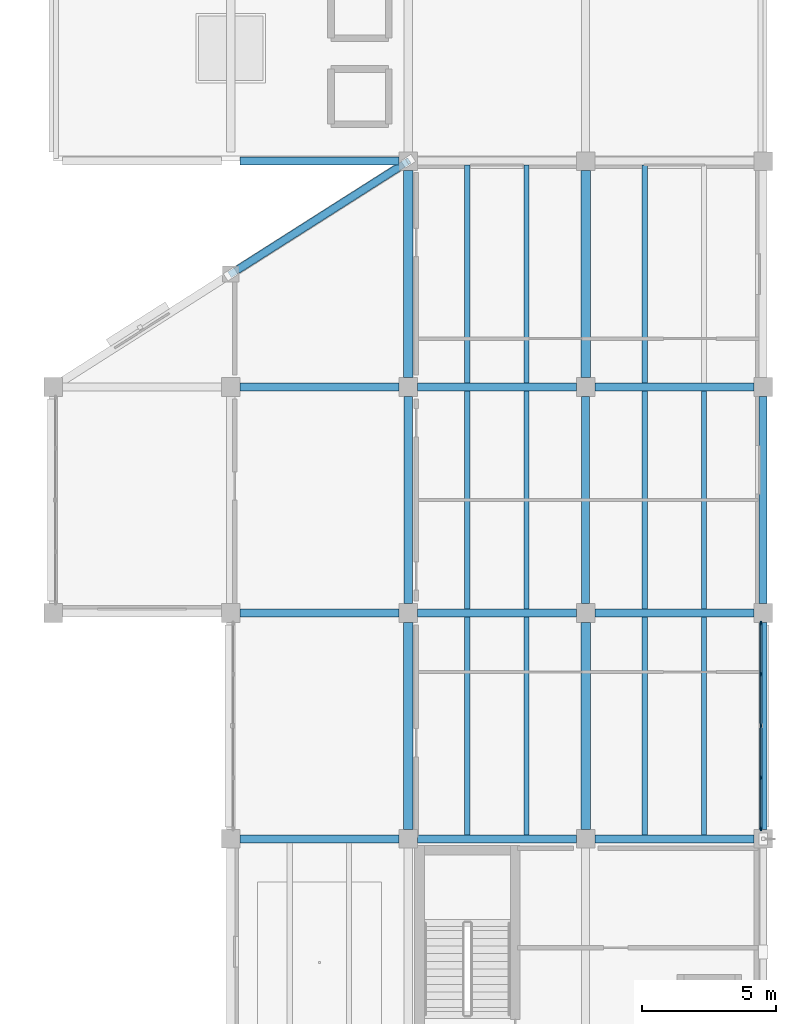
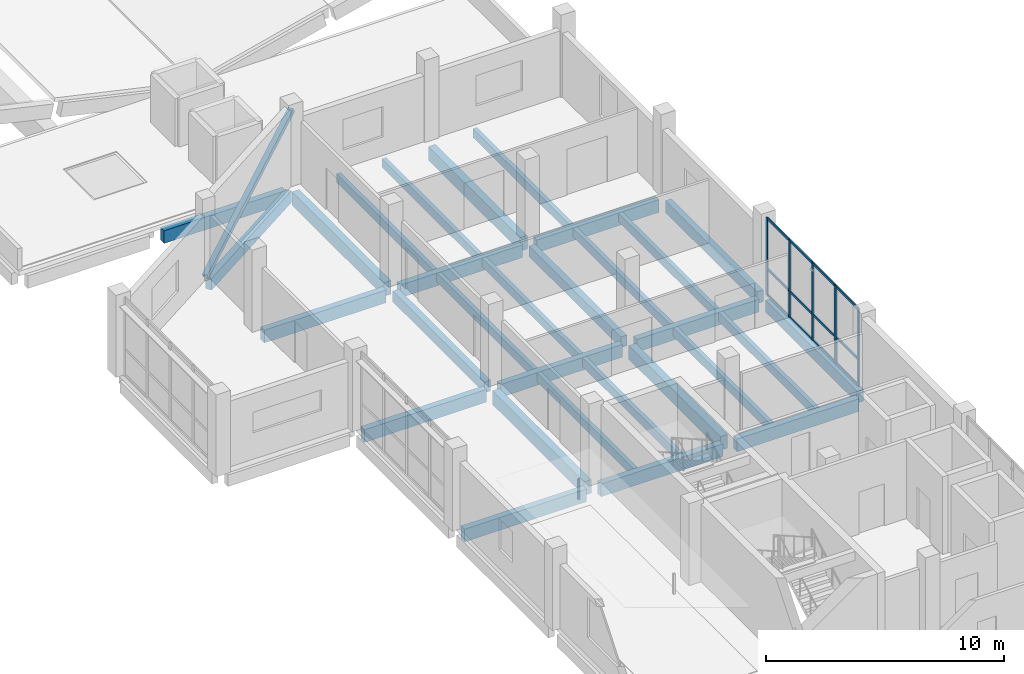
# One storey, part 19 of 47: 30 beams, 18 members, 1 element without a shape of its own.
"""IFC4 building model written with IfcOpenShell, lengths in metres."""

from ifc_helpers import new_model, si_unit, direction, frame, origin, origin_2d, place, context, subcontext, project, spatial, rectangle, hollow_rectangle, extrude, material, material_profile, profile_set, type_object, element, aggregate, save


model = new_model("IFC4")

# Units and contexts
model_context = context("Model", 3, precision=1e-05, world=origin(), true_north=direction((0.0, 1.0)))
body_context = subcontext(model_context, "Body", "Model", "MODEL_VIEW")
ifc_project = project(units=[si_unit("LENGTHUNIT", "METRE"), si_unit("AREAUNIT", "SQUARE_METRE"), si_unit("VOLUMEUNIT", "CUBIC_METRE"), si_unit("PLANEANGLEUNIT", "RADIAN"), si_unit("MASSUNIT", "GRAM", prefix="KILO")], contexts=[model_context])

# Site, building, storey
site_placement = place(None, origin())
site = spatial("IfcSite", under=ifc_project, at=site_placement, CompositionType="ELEMENT")
building_placement = place(site_placement, origin())
building = spatial("IfcBuilding", under=site, at=building_placement, Name="Qaldarim Faculty of Natural and Applied Sciences", CompositionType="ELEMENT")
storey_placement = place(building_placement, frame((0.0, 0.0, 22.800048828125)))
storey = spatial("IfcBuildingStorey", under=building, at=storey_placement, Name="L05", CompositionType="ELEMENT", Elevation=22.800048828125)

# Beams
ifc_material_1 = material(Name="Concrete C40/50", Category="concrete")
ifc_material_profile_1 = material_profile(ifc_material_1, rectangle(XDim=0.300048828125, YDim=0.550048828125, at=origin_2d()), Name="RC-B300x550")
ifc_profile_set_1 = profile_set([ifc_material_profile_1], Name="Concrete C40/50")
beam_type_1 = type_object("IfcBeamType", Name="FloorBeam-RC300x550", PredefinedType="BEAM", material=ifc_profile_set_1)
for number, where, z_axis, x_axis, name in (
    (1, (165.0, 42.35009765625, -0.53515625), (0.0, 1.0, 0.0), (-1.0, 0.0, 0.0), "Beam RC-B300x550 L04 X26/Y06-Y07"),
    (2, (171.60009765625, 42.35009765625, -0.53515625), (0.0, 1.0, 0.0), (-1.0, 0.0, 0.0), "Beam RC-B300x550 L04 X27/Y06-Y07"),
):
    element("IfcBeam", number, at=place(storey_placement, frame(where, z_axis=z_axis, x_axis=x_axis)), inside=storey, type_object=beam_type_1, Name=name, PredefinedType="BEAM", context=body_context, shape_type="SweptSolid", body=[
        extrude(rectangle(XDim=0.300048828125, YDim=0.550048828125, at=origin_2d()), origin(), (0.0, 0.0, 1.0), 7.699951171875),
    ])
ifc_material_profile_2 = material_profile(ifc_material_1, rectangle(XDim=0.199951171875, YDim=0.449951171875, at=origin_2d()), Name="RC-J200x450")
ifc_profile_set_2 = profile_set([ifc_material_profile_2], Name="Concrete C40/50")
beam_type_2 = type_object("IfcBeamType", Name="LabJoist-RC200x450", PredefinedType="JOIST", material=ifc_profile_set_2)
for number, where, z_axis, x_axis, name in (
    (3, (167.199951171875, 33.75, -0.485107421875), (0.0, 1.0, 0.0), (-1.0, 0.0, 0.0), "Laboratory joist L04 bay X26Y05-1"),
    (4, (169.39990234375, 33.75, -0.485107421875), (0.0, 1.0, 0.0), (-1.0, 0.0, 0.0), "Laboratory joist L04 bay X26Y05-2"),
    (5, (167.199951171875, 42.14990234375, -0.485107421875), (0.0, 1.0, 0.0), (-1.0, 0.0, 0.0), "Laboratory joist L04 bay X26Y06-1"),
    (6, (169.39990234375, 42.14990234375, -0.485107421875), (0.0, 1.0, 0.0), (-1.0, 0.0, 0.0), "Laboratory joist L04 bay X26Y06-2"),
):
    element("IfcBeam", number, at=place(storey_placement, frame(where, z_axis=z_axis, x_axis=x_axis)), inside=storey, type_object=beam_type_2, Name=name, PredefinedType="JOIST", context=body_context, shape_type="SweptSolid", body=[
        extrude(rectangle(XDim=0.199951171875, YDim=0.449951171875, at=origin_2d()), origin(), (0.0, 0.0, 1.0), 8.10009765625),
    ])
for number, where, z_axis, x_axis, name in (
    (7, (167.199951171875, 50.550048828125, -0.485107421875), (0.0, 1.0, 0.0), (-1.0, 0.0, 0.0), "Laboratory joist L04 bay X26Y07-1"),
    (8, (169.39990234375, 50.550048828125, -0.485107421875), (0.0, 1.0, 0.0), (-1.0, 0.0, 0.0), "Laboratory joist L04 bay X26Y07-2"),
):
    element("IfcBeam", number, at=place(storey_placement, frame(where, z_axis=z_axis, x_axis=x_axis)), inside=storey, type_object=beam_type_2, Name=name, PredefinedType="JOIST", context=body_context, shape_type="SweptSolid", body=[
        extrude(rectangle(XDim=0.199951171875, YDim=0.449951171875, at=origin_2d()), origin(), (0.0, 0.0, 1.0), 8.099853515625),
    ])
for number, where, z_axis, x_axis, name in (
    (9, (173.800048828125, 33.75, -0.485107421875), (0.0, 1.0, 0.0), (-1.0, 0.0, 0.0), "Laboratory joist L04 bay X27Y05-1"),
    (10, (176.0, 33.75, -0.485107421875), (0.0, 1.0, 0.0), (-1.0, 0.0, 0.0), "Laboratory joist L04 bay X27Y05-2"),
    (11, (173.800048828125, 42.14990234375, -0.485107421875), (0.0, 1.0, 0.0), (-1.0, 0.0, 0.0), "Laboratory joist L04 bay X27Y06-1"),
    (12, (176.0, 42.14990234375, -0.485107421875), (0.0, 1.0, 0.0), (-1.0, 0.0, 0.0), "Laboratory joist L04 bay X27Y06-2"),
):
    element("IfcBeam", number, at=place(storey_placement, frame(where, z_axis=z_axis, x_axis=x_axis)), inside=storey, type_object=beam_type_2, Name=name, PredefinedType="JOIST", context=body_context, shape_type="SweptSolid", body=[
        extrude(rectangle(XDim=0.199951171875, YDim=0.449951171875, at=origin_2d()), origin(), (0.0, 0.0, 1.0), 8.10009765625),
    ])
beam_1_placement = place(storey_placement, frame((173.800048828125, 50.550048828125, -0.485107421875), z_axis=(0.0, 1.0, 0.0), x_axis=(-1.0, 0.0, 0.0)))
element("IfcBeam", 13, at=beam_1_placement, inside=storey, type_object=beam_type_2, Name="Laboratory joist L04 bay X27Y07-1", PredefinedType="JOIST", context=body_context, shape_type="SweptSolid", body=[
    extrude(rectangle(XDim=0.199951171875, YDim=0.449951171875, at=origin_2d()), origin(), (0.0, 0.0, 1.0), 8.099853515625),
])

# Member
ifc_material_2 = material(Name="Structural steel S355", Category="steel")
ifc_material_profile_3 = material_profile(ifc_material_2, hollow_rectangle(XDim=0.25, YDim=0.25, WallThickness=0.01611328125, at=origin_2d()), Name="SHS 250x250x16.0")
ifc_profile_set_3 = profile_set([ifc_material_profile_3], Name="Structural steel S355")
member_type_1 = type_object("IfcMemberType", Name="MidWingBrace-SHS250x16", PredefinedType="BRACE", material=ifc_profile_set_3)
member_1_placement = place(storey_placement, frame((158.39990234375, 54.60009765625, 0.0), z_axis=(0.763423896792, 0.485802370959, 0.425652452332), x_axis=(-0.536865395558, 0.843667912778, 0.0)))
element("IfcMember", 14, at=member_1_placement, inside=storey, type_object=member_type_1, Name="Oblique NW chamfer diagrid brace L05", PredefinedType="BRACE", context=body_context, shape_type="SweptSolid", body=[
    extrude(hollow_rectangle(XDim=0.25, YDim=0.25, WallThickness=0.01611328125, at=origin_2d()), origin(), (0.0, 0.0, 1.0), 8.6455078125),
])

# Curtain wall, members
ifc_material_3 = material(Name="Anodised aluminium AW-6063", Category="aluminium")
curtain_wall_type = type_object("IfcCurtainWallType", Name="CurtainWallSystem-M1800", PredefinedType="USERDEFINED", material=ifc_material_3)
curtain_wall_placement = place(storey_placement, origin())
curtain_wall = element("IfcCurtainWall", 15, at=curtain_wall_placement, inside=storey, type_object=curtain_wall_type, Name="Curtain wall CW-L05-E-X27Y05", ObjectType="UNITISED FACADE", PredefinedType="USERDEFINED")
ifc_material_profile_4 = material_profile(ifc_material_3, rectangle(XDim=0.06005859375, YDim=0.14990234375, at=origin_2d()), Name="ALU-M60x150")
ifc_profile_set_4 = profile_set([ifc_material_profile_4], Name="Anodised aluminium AW-6063")
member_type_2 = type_object("IfcMemberType", Name="Mullion-ALU60x150", PredefinedType="MULLION", material=ifc_profile_set_4)
member_2_placement = place(storey_placement, frame((178.1201171875, 33.97509765625, 0.0), z_axis=(0.0, 0.0, 1.0), x_axis=(-1.0, 0.0, 0.0)))
member_2 = element("IfcMember", 16, at=member_2_placement, type_object=member_type_2, Name="Mullion 1 of CW-L05-E-X27Y05", PredefinedType="MULLION", context=body_context, shape_type="SweptSolid", body=[
    extrude(rectangle(XDim=0.06005859375, YDim=0.14990234375, at=origin_2d()), origin(), (0.0, 0.0, 1.0), 3.97998046875),
])
member_3_placement = place(storey_placement, frame((178.1201171875, 35.87255859375, 0.0), z_axis=(0.0, 0.0, 1.0), x_axis=(-1.0, 0.0, 0.0)))
member_3 = element("IfcMember", 17, at=member_3_placement, type_object=member_type_2, Name="Mullion 2 of CW-L05-E-X27Y05", PredefinedType="MULLION", context=body_context, shape_type="SweptSolid", body=[
    extrude(rectangle(XDim=0.06005859375, YDim=0.14990234375, at=origin_2d()), origin(), (0.0, 0.0, 1.0), 3.97998046875),
])
member_4_placement = place(storey_placement, frame((178.1201171875, 37.800048828125, 0.0), z_axis=(0.0, 0.0, 1.0), x_axis=(-1.0, 0.0, 0.0)))
member_4 = element("IfcMember", 18, at=member_4_placement, type_object=member_type_2, Name="Mullion 3 of CW-L05-E-X27Y05", PredefinedType="MULLION", context=body_context, shape_type="SweptSolid", body=[
    extrude(rectangle(XDim=0.06005859375, YDim=0.14990234375, at=origin_2d()), origin(), (0.0, 0.0, 1.0), 3.97998046875),
])
member_5_placement = place(storey_placement, frame((178.1201171875, 39.7275390625, 0.0), z_axis=(0.0, 0.0, 1.0), x_axis=(-1.0, 0.0, 0.0)))
member_5 = element("IfcMember", 19, at=member_5_placement, type_object=member_type_2, Name="Mullion 4 of CW-L05-E-X27Y05", PredefinedType="MULLION", context=body_context, shape_type="SweptSolid", body=[
    extrude(rectangle(XDim=0.06005859375, YDim=0.14990234375, at=origin_2d()), origin(), (0.0, 0.0, 1.0), 3.97998046875),
])
member_6_placement = place(storey_placement, frame((178.1201171875, 41.625, 0.0), z_axis=(0.0, 0.0, 1.0), x_axis=(-1.0, 0.0, 0.0)))
member_6 = element("IfcMember", 20, at=member_6_placement, type_object=member_type_2, Name="Mullion 5 of CW-L05-E-X27Y05", PredefinedType="MULLION", context=body_context, shape_type="SweptSolid", body=[
    extrude(rectangle(XDim=0.06005859375, YDim=0.14990234375, at=origin_2d()), origin(), (0.0, 0.0, 1.0), 3.97998046875),
])

# Beams
ifc_material_profile_5 = material_profile(ifc_material_1, rectangle(XDim=0.300048828125, YDim=0.64990234375, at=origin_2d()), Name="RC-B300x650")
ifc_profile_set_5 = profile_set([ifc_material_profile_5], Name="Concrete C40/50")
beam_type_3 = type_object("IfcBeamType", Name="PrimaryBeam-RC300x650", PredefinedType="BEAM", material=ifc_profile_set_5)
for number, where, z_axis, x_axis, name in (
    (21, (158.75, 33.60009765625, -0.5849609375), (1.0, 0.0, 0.0), (0.0, 1.0, 0.0), "Beam RC-B300x650 L04 X25-X26/Y05"),
    (22, (165.35009765625, 33.60009765625, -0.5849609375), (1.0, 0.0, 0.0), (0.0, 1.0, 0.0), "Beam RC-B300x650 L04 X26-X27/Y05"),
):
    element("IfcBeam", number, at=place(storey_placement, frame(where, z_axis=z_axis, x_axis=x_axis)), inside=storey, type_object=beam_type_3, Name=name, PredefinedType="BEAM", context=body_context, shape_type="SweptSolid", body=[
        extrude(rectangle(XDim=0.300048828125, YDim=0.64990234375, at=origin_2d()), origin(), (0.0, 0.0, 1.0), 5.89990234375),
    ])
beam_2_placement = place(storey_placement, frame((171.949951171875, 33.60009765625, -0.5849609375), z_axis=(1.0, 0.0, 0.0), x_axis=(0.0, 1.0, 0.0)))
element("IfcBeam", 23, at=beam_2_placement, inside=storey, type_object=beam_type_3, Name="Beam RC-B300x650 L04 X27-X28/Y05", PredefinedType="BEAM", context=body_context, shape_type="SweptSolid", body=[
    extrude(rectangle(XDim=0.300048828125, YDim=0.64990234375, at=origin_2d()), origin(), (0.0, 0.0, 1.0), 5.900146484375),
])
for number, where, z_axis, x_axis, name in (
    (24, (158.75, 42.0, -0.5849609375), (1.0, 0.0, 0.0), (0.0, 1.0, 0.0), "Beam RC-B300x650 L04 X25-X26/Y06"),
    (25, (165.35009765625, 42.0, -0.5849609375), (1.0, 0.0, 0.0), (0.0, 1.0, 0.0), "Beam RC-B300x650 L04 X26-X27/Y06"),
):
    element("IfcBeam", number, at=place(storey_placement, frame(where, z_axis=z_axis, x_axis=x_axis)), inside=storey, type_object=beam_type_3, Name=name, PredefinedType="BEAM", context=body_context, shape_type="SweptSolid", body=[
        extrude(rectangle(XDim=0.300048828125, YDim=0.64990234375, at=origin_2d()), origin(), (0.0, 0.0, 1.0), 5.89990234375),
    ])
beam_3_placement = place(storey_placement, frame((171.949951171875, 42.0, -0.5849609375), z_axis=(1.0, 0.0, 0.0), x_axis=(0.0, 1.0, 0.0)))
element("IfcBeam", 26, at=beam_3_placement, inside=storey, type_object=beam_type_3, Name="Beam RC-B300x650 L04 X27-X28/Y06", PredefinedType="BEAM", context=body_context, shape_type="SweptSolid", body=[
    extrude(rectangle(XDim=0.300048828125, YDim=0.64990234375, at=origin_2d()), origin(), (0.0, 0.0, 1.0), 5.900146484375),
])
for number, where, z_axis, x_axis, name in (
    (27, (158.75, 50.39990234375, -0.5849609375), (1.0, 0.0, 0.0), (0.0, 1.0, 0.0), "Beam RC-B300x650 L04 X25-X26/Y07"),
    (28, (165.35009765625, 50.39990234375, -0.5849609375), (1.0, 0.0, 0.0), (0.0, 1.0, 0.0), "Beam RC-B300x650 L04 X26-X27/Y07"),
):
    element("IfcBeam", number, at=place(storey_placement, frame(where, z_axis=z_axis, x_axis=x_axis)), inside=storey, type_object=beam_type_3, Name=name, PredefinedType="BEAM", context=body_context, shape_type="SweptSolid", body=[
        extrude(rectangle(XDim=0.300048828125, YDim=0.64990234375, at=origin_2d()), origin(), (0.0, 0.0, 1.0), 5.89990234375),
    ])
beam_4_placement = place(storey_placement, frame((171.949951171875, 50.39990234375, -0.5849609375), z_axis=(1.0, 0.0, 0.0), x_axis=(0.0, 1.0, 0.0)))
element("IfcBeam", 29, at=beam_4_placement, inside=storey, type_object=beam_type_3, Name="Beam RC-B300x650 L04 X27-X28/Y07", PredefinedType="BEAM", context=body_context, shape_type="SweptSolid", body=[
    extrude(rectangle(XDim=0.300048828125, YDim=0.64990234375, at=origin_2d()), origin(), (0.0, 0.0, 1.0), 5.900146484375),
])
beam_5_placement = place(storey_placement, frame((158.75, 58.800048828125, -0.5849609375), z_axis=(1.0, 0.0, 0.0), x_axis=(0.0, 1.0, 0.0)))
element("IfcBeam", 30, at=beam_5_placement, inside=storey, type_object=beam_type_3, Name="Beam RC-B300x650 L04 X25-X26/Y08", PredefinedType="BEAM", context=body_context, shape_type="SweptSolid", body=[
    extrude(rectangle(XDim=0.300048828125, YDim=0.64990234375, at=origin_2d()), origin(), (0.0, 0.0, 1.0), 5.89990234375),
])
ifc_material_profile_6 = material_profile(ifc_material_1, rectangle(XDim=0.35009765625, YDim=0.699951171875, at=origin_2d()), Name="RC-B350x700")
ifc_profile_set_6 = profile_set([ifc_material_profile_6], Name="Concrete C40/50")
beam_type_4 = type_object("IfcBeamType", Name="PrimaryGirder-RC350x700", PredefinedType="BEAM", material=ifc_profile_set_6)
for number, where, z_axis, x_axis, name in (
    (31, (165.0, 33.949951171875, -0.610107421875), (0.0, 1.0, 0.0), (-1.0, 0.0, 0.0), "Beam RC-B350x700 L04 X26/Y05-Y06"),
    (32, (165.0, 50.75, -0.610107421875), (0.0, 1.0, 0.0), (-1.0, 0.0, 0.0), "Beam RC-B350x700 L04 X26/Y07-Y08"),
    (33, (171.60009765625, 33.949951171875, -0.610107421875), (0.0, 1.0, 0.0), (-1.0, 0.0, 0.0), "Beam RC-B350x700 L04 X27/Y05-Y06"),
    (34, (171.60009765625, 50.75, -0.610107421875), (0.0, 1.0, 0.0), (-1.0, 0.0, 0.0), "Beam RC-B350x700 L04 X27/Y07-Y08"),
):
    element("IfcBeam", number, at=place(storey_placement, frame(where, z_axis=z_axis, x_axis=x_axis)), inside=storey, type_object=beam_type_4, Name=name, PredefinedType="BEAM", context=body_context, shape_type="SweptSolid", body=[
        extrude(rectangle(XDim=0.35009765625, YDim=0.699951171875, at=origin_2d()), origin(), (0.0, 0.0, 1.0), 7.699951171875),
    ])
ifc_material_4 = material(Name="Precast concrete C40/50", Category="concrete")
ifc_material_profile_7 = material_profile(ifc_material_4, rectangle(XDim=0.300048828125, YDim=0.60009765625, at=origin_2d()), Name="RC-SP300x600")
ifc_profile_set_7 = profile_set([ifc_material_profile_7], Name="Precast concrete C40/50")
beam_type_5 = type_object("IfcBeamType", Name="SpandrelBeam-RC300x600", PredefinedType="SPANDREL", material=ifc_profile_set_7)
for number, where, z_axis, x_axis, name in (
    (35, (178.199951171875, 33.949951171875, -0.56005859375), (0.0, 1.0, 0.0), (-1.0, 0.0, 0.0), "Beam RC-SP300x600 L04 X28/Y05-Y06"),
    (36, (178.199951171875, 42.35009765625, -0.56005859375), (0.0, 1.0, 0.0), (-1.0, 0.0, 0.0), "Beam RC-SP300x600 L04 X28/Y06-Y07"),
):
    element("IfcBeam", number, at=place(storey_placement, frame(where, z_axis=z_axis, x_axis=x_axis)), inside=storey, type_object=beam_type_5, Name=name, PredefinedType="SPANDREL", context=body_context, shape_type="SweptSolid", body=[
        extrude(rectangle(XDim=0.300048828125, YDim=0.60009765625, at=origin_2d()), origin(), (0.0, 0.0, 1.0), 7.699951171875),
    ])
beam_6_placement = place(storey_placement, frame((158.64990234375, 54.760009765625, -0.56005859375), z_axis=(0.843786613851, 0.536678814829, 0.0), x_axis=(-0.536678814829, 0.843786613851, 0.0)))
element("IfcBeam", 37, at=beam_6_placement, inside=storey, type_object=beam_type_5, Name="Oblique NW chamfer spandrel L04 2", PredefinedType="SPANDREL", context=body_context, shape_type="SweptSolid", body=[
    extrude(rectangle(XDim=0.300048828125, YDim=0.60009765625, at=origin_2d()), origin(), (0.0, 0.0, 1.0), 7.2294921875),
])

# Member
ifc_material_profile_8 = material_profile(ifc_material_3, rectangle(XDim=0.06005859375, YDim=0.1201171875, at=origin_2d()), Name="ALU-T60x120")
ifc_profile_set_8 = profile_set([ifc_material_profile_8], Name="Anodised aluminium AW-6063")
member_type_3 = type_object("IfcMemberType", Name="Transom-ALU60x120", PredefinedType="USERDEFINED", material=ifc_profile_set_8)
member_7_placement = place(storey_placement, frame((178.1201171875, 34.0048828125, 0.030029296875), z_axis=(0.0, 1.0, 0.0), x_axis=(-1.0, 0.0, 0.0)))
member_7 = element("IfcMember", 38, at=member_7_placement, type_object=member_type_3, Name="Transom 1-1 of CW-L05-E-X27Y05", ObjectType="TRANSOM", PredefinedType="USERDEFINED", context=body_context, shape_type="SweptSolid", body=[
    extrude(rectangle(XDim=0.06005859375, YDim=0.1201171875, at=origin_2d()), origin(), (0.0, 0.0, 1.0), 1.837646484375),
])

member_8_placement = place(storey_placement, frame((178.1201171875, 34.0048828125, 1.349853515625), z_axis=(0.0, 1.0, 0.0), x_axis=(-1.0, 0.0, 0.0)))
member_8 = element("IfcMember", 39, at=member_8_placement, type_object=member_type_3, Name="Transom 1-2 of CW-L05-E-X27Y05", ObjectType="TRANSOM", PredefinedType="USERDEFINED", context=body_context, shape_type="SweptSolid", body=[
    extrude(rectangle(XDim=0.06005859375, YDim=0.1201171875, at=origin_2d()), origin(), (0.0, 0.0, 1.0), 1.837646484375),
])

member_9_placement = place(storey_placement, frame((178.1201171875, 34.0048828125, 3.949951171875), z_axis=(0.0, 1.0, 0.0), x_axis=(-1.0, 0.0, 0.0)))
member_9 = element("IfcMember", 40, at=member_9_placement, type_object=member_type_3, Name="Transom 1-3 of CW-L05-E-X27Y05", ObjectType="TRANSOM", PredefinedType="USERDEFINED", context=body_context, shape_type="SweptSolid", body=[
    extrude(rectangle(XDim=0.06005859375, YDim=0.1201171875, at=origin_2d()), origin(), (0.0, 0.0, 1.0), 1.837646484375),
])

member_10_placement = place(storey_placement, frame((178.1201171875, 35.902587890625, 0.030029296875), z_axis=(0.0, 1.0, 0.0), x_axis=(-1.0, 0.0, 0.0)))
member_10 = element("IfcMember", 41, at=member_10_placement, type_object=member_type_3, Name="Transom 2-1 of CW-L05-E-X27Y05", ObjectType="TRANSOM", PredefinedType="USERDEFINED", context=body_context, shape_type="SweptSolid", body=[
    extrude(rectangle(XDim=0.06005859375, YDim=0.1201171875, at=origin_2d()), origin(), (0.0, 0.0, 1.0), 1.867431640625),
])

member_11_placement = place(storey_placement, frame((178.1201171875, 35.902587890625, 1.349853515625), z_axis=(0.0, 1.0, 0.0), x_axis=(-1.0, 0.0, 0.0)))
member_11 = element("IfcMember", 42, at=member_11_placement, type_object=member_type_3, Name="Transom 2-2 of CW-L05-E-X27Y05", ObjectType="TRANSOM", PredefinedType="USERDEFINED", context=body_context, shape_type="SweptSolid", body=[
    extrude(rectangle(XDim=0.06005859375, YDim=0.1201171875, at=origin_2d()), origin(), (0.0, 0.0, 1.0), 1.867431640625),
])

member_12_placement = place(storey_placement, frame((178.1201171875, 35.902587890625, 3.949951171875), z_axis=(0.0, 1.0, 0.0), x_axis=(-1.0, 0.0, 0.0)))
member_12 = element("IfcMember", 43, at=member_12_placement, type_object=member_type_3, Name="Transom 2-3 of CW-L05-E-X27Y05", ObjectType="TRANSOM", PredefinedType="USERDEFINED", context=body_context, shape_type="SweptSolid", body=[
    extrude(rectangle(XDim=0.06005859375, YDim=0.1201171875, at=origin_2d()), origin(), (0.0, 0.0, 1.0), 1.867431640625),
])

member_13_placement = place(storey_placement, frame((178.1201171875, 37.830078125, 0.030029296875), z_axis=(0.0, 1.0, 0.0), x_axis=(-1.0, 0.0, 0.0)))
member_13 = element("IfcMember", 44, at=member_13_placement, type_object=member_type_3, Name="Transom 3-1 of CW-L05-E-X27Y05", ObjectType="TRANSOM", PredefinedType="USERDEFINED", context=body_context, shape_type="SweptSolid", body=[
    extrude(rectangle(XDim=0.06005859375, YDim=0.1201171875, at=origin_2d()), origin(), (0.0, 0.0, 1.0), 1.867431640625),
])

member_14_placement = place(storey_placement, frame((178.1201171875, 37.830078125, 1.349853515625), z_axis=(0.0, 1.0, 0.0), x_axis=(-1.0, 0.0, 0.0)))
member_14 = element("IfcMember", 45, at=member_14_placement, type_object=member_type_3, Name="Transom 3-2 of CW-L05-E-X27Y05", ObjectType="TRANSOM", PredefinedType="USERDEFINED", context=body_context, shape_type="SweptSolid", body=[
    extrude(rectangle(XDim=0.06005859375, YDim=0.1201171875, at=origin_2d()), origin(), (0.0, 0.0, 1.0), 1.867431640625),
])

member_15_placement = place(storey_placement, frame((178.1201171875, 37.830078125, 3.949951171875), z_axis=(0.0, 1.0, 0.0), x_axis=(-1.0, 0.0, 0.0)))
member_15 = element("IfcMember", 46, at=member_15_placement, type_object=member_type_3, Name="Transom 3-3 of CW-L05-E-X27Y05", ObjectType="TRANSOM", PredefinedType="USERDEFINED", context=body_context, shape_type="SweptSolid", body=[
    extrude(rectangle(XDim=0.06005859375, YDim=0.1201171875, at=origin_2d()), origin(), (0.0, 0.0, 1.0), 1.867431640625),
])

member_16_placement = place(storey_placement, frame((178.1201171875, 39.757568359375, 0.030029296875), z_axis=(0.0, 1.0, 0.0), x_axis=(-1.0, 0.0, 0.0)))
member_16 = element("IfcMember", 47, at=member_16_placement, type_object=member_type_3, Name="Transom 4-1 of CW-L05-E-X27Y05", ObjectType="TRANSOM", PredefinedType="USERDEFINED", context=body_context, shape_type="SweptSolid", body=[
    extrude(rectangle(XDim=0.06005859375, YDim=0.1201171875, at=origin_2d()), origin(), (0.0, 0.0, 1.0), 1.83740234375),
])

member_17_placement = place(storey_placement, frame((178.1201171875, 39.757568359375, 1.349853515625), z_axis=(0.0, 1.0, 0.0), x_axis=(-1.0, 0.0, 0.0)))
member_17 = element("IfcMember", 48, at=member_17_placement, type_object=member_type_3, Name="Transom 4-2 of CW-L05-E-X27Y05", ObjectType="TRANSOM", PredefinedType="USERDEFINED", context=body_context, shape_type="SweptSolid", body=[
    extrude(rectangle(XDim=0.06005859375, YDim=0.1201171875, at=origin_2d()), origin(), (0.0, 0.0, 1.0), 1.83740234375),
])

member_18_placement = place(storey_placement, frame((178.1201171875, 39.757568359375, 3.949951171875), z_axis=(0.0, 1.0, 0.0), x_axis=(-1.0, 0.0, 0.0)))
member_18 = element("IfcMember", 49, at=member_18_placement, type_object=member_type_3, Name="Transom 4-3 of CW-L05-E-X27Y05", ObjectType="TRANSOM", PredefinedType="USERDEFINED", context=body_context, shape_type="SweptSolid", body=[
    extrude(rectangle(XDim=0.06005859375, YDim=0.1201171875, at=origin_2d()), origin(), (0.0, 0.0, 1.0), 1.83740234375),
])

aggregate(curtain_wall, [member_2, member_3, member_4, member_5, member_6, member_7, member_8, member_9, member_10, member_11, member_12, member_13, member_14, member_15, member_16, member_17, member_18])

save(model, "model.ifc")
